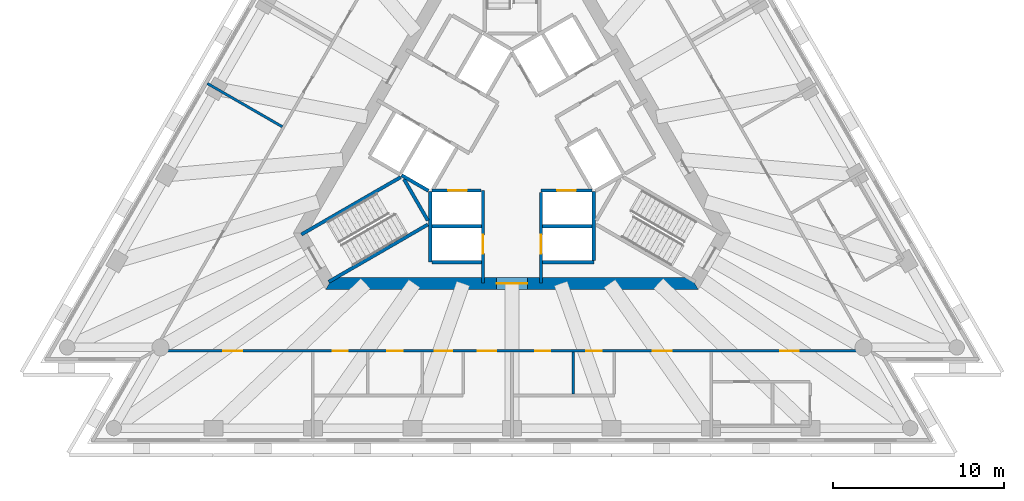
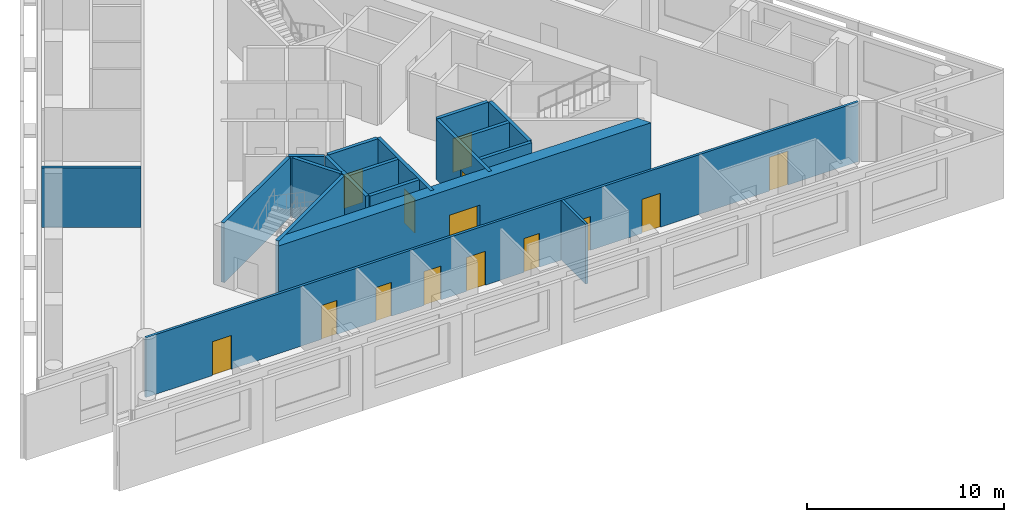
# One storey, part 3 of 10: 18 walls, 14 doors, 14 openings.
"""IFC4 building model written with IfcOpenShell, lengths in metres."""

from ifc_helpers import new_model, si_unit, direction, frame, frame_2d, origin, place, context, subcontext, project, spatial, polyline, rectangle, outline, extrude, material, layer, layer_set, type_object, element, fill, save


model = new_model("IFC4")

# Units and contexts
model_context = context("Model", 3, precision=1e-05, world=origin(), true_north=direction((0.0, 1.0)))
body_context = subcontext(model_context, "Body", "Model", "MODEL_VIEW")
ifc_project = project(units=[si_unit("LENGTHUNIT", "METRE"), si_unit("AREAUNIT", "SQUARE_METRE"), si_unit("VOLUMEUNIT", "CUBIC_METRE"), si_unit("PLANEANGLEUNIT", "RADIAN"), si_unit("MASSUNIT", "GRAM", prefix="KILO")], contexts=[model_context])

# Site, building, storey
site_placement = place(None, origin())
site = spatial("IfcSite", under=ifc_project, at=site_placement, CompositionType="ELEMENT")
building_placement = place(site_placement, origin())
building = spatial("IfcBuilding", under=site, at=building_placement, Name="Triada Interchange Tower", CompositionType="ELEMENT")
storey_placement = place(building_placement, frame((0.0, 0.0, 239.300048828125)))
storey = spatial("IfcBuildingStorey", under=building, at=storey_placement, Name="L56", CompositionType="ELEMENT", Elevation=239.300048828125)

# Walls
ifc_material_1 = material(Name="Concrete C30/37", Category="concrete")
ifc_layer_1 = layer(ifc_material_1, 0.199951171875)
ifc_layer_set_1 = layer_set([ifc_layer_1], Name="CORE WALL 200 EI 120")
wall_type_1 = type_object("IfcWallType", Name="CORE WALL 200 EI 120", PredefinedType="SOLIDWALL", material=ifc_layer_set_1)
for number, where, z_axis, x_axis, name in (
    (1, (-4.699951171875, -4.800048828125, 0.0), (0.0, 0.0, 1.0), (1.0, 0.0, 0.0), "Wall L56 43"),
    (2, (1.800048828125, -4.800048828125, 0.0), (0.0, 0.0, 1.0), (1.0, 0.0, 0.0), "Wall L56 44"),
):
    element("IfcWall", number, at=place(storey_placement, frame(where, z_axis=z_axis, x_axis=x_axis)), inside=storey, type_object=wall_type_1, Name=name, PredefinedType="SOLIDWALL", context=body_context, shape_type="SweptSolid", body=[
        extrude(rectangle(XDim=2.89990234375, YDim=0.199951171875, at=frame_2d((1.449951171875, 0.0))), origin(), (0.0, 0.0, 1.0), 3.699951171875),
    ])
wall_1_placement = place(storey_placement, frame((-4.800048828125, -6.89990234375, 0.0), z_axis=(0.0, 0.0, 1.0), x_axis=(0.0, 1.0, 0.0)))
element("IfcWall", 3, at=wall_1_placement, inside=storey, type_object=wall_type_1, Name="Wall L56 45", PredefinedType="SOLIDWALL", context=body_context, shape_type="SweptSolid", body=[
    extrude(rectangle(XDim=4.130859375, YDim=0.199951171875, at=frame_2d((2.0654296875, 0.0))), origin(), (0.0, 0.0, 1.0), 3.699951171875),
])
wall_2_placement = place(storey_placement, frame((-4.699951171875, -6.89990234375, 0.0), z_axis=(0.0, 0.0, 1.0), x_axis=(1.0, 0.0, 0.0)))
element("IfcWall", 4, at=wall_2_placement, inside=storey, type_object=wall_type_1, Name="Wall L56 46", PredefinedType="SOLIDWALL", context=body_context, shape_type="SweptSolid", body=[
    extrude(rectangle(XDim=2.89990234375, YDim=0.199951171875, at=frame_2d((1.449951171875, 0.0))), origin(), (0.0, 0.0, 1.0), 3.699951171875),
])
wall_3_placement = place(storey_placement, frame((1.800048828125, -6.89990234375, 0.0), z_axis=(0.0, 0.0, 1.0), x_axis=(1.0, 0.0, 0.0)))
element("IfcWall", 5, at=wall_3_placement, inside=storey, type_object=wall_type_1, Name="Wall L56 47", PredefinedType="SOLIDWALL", context=body_context, shape_type="SweptSolid", body=[
    extrude(rectangle(XDim=3.0, YDim=0.199951171875, at=frame_2d((1.5, 0.0))), origin(), (0.0, 0.0, 1.0), 3.699951171875),
])

# Wall, opening, door
wall_4_placement = place(storey_placement, frame((-1.699951171875, -8.1298828125, 0.0), z_axis=(0.0, 0.0, 1.0), x_axis=(0.0, 1.0, 0.0)))
wall_4 = element("IfcWall", 6, at=wall_4_placement, inside=storey, type_object=wall_type_1, Name="Wall L56 48", PredefinedType="SOLIDWALL", context=body_context, shape_type="SweptSolid", body=[
    extrude(rectangle(XDim=5.427001953125, YDim=0.199951171875, at=frame_2d((2.71337890625, 0.0))), origin(), (0.0, 0.0, 1.0), 3.699951171875),
])
opening_1_placement = place(wall_4_placement, frame((1.72998046875, 0.0, 0.0)))
opening_1 = element("IfcOpeningElement", 7, at=opening_1_placement, cuts=wall_4, Name="Opening LD-HR4", PredefinedType="OPENING", context=body_context, shape_type="SweptSolid", body=[
    extrude(rectangle(XDim=1.10009765625, YDim=2.10009765625, at=frame_2d((0.550048828125, 1.050048828125))), frame((0.0, 0.10986328125, 0.0), z_axis=(0.0, -1.0, 0.0), x_axis=(1.0, 0.0, 0.0)), (0.0, 0.0, 1.0), 0.219970703125),
])
ifc_material_2 = material(Name="Steel S235 door leaf", Category="steel")
door_type_1 = type_object("IfcDoorType", Name="LIFT LANDING DOOR 1100 EI 120", OperationType="SLIDING_TO_LEFT", PredefinedType="DOOR", material=ifc_material_2)
door_1_placement = place(opening_1_placement, origin())
door_1 = element("IfcDoor", 8, at=door_1_placement, inside=storey, type_object=door_type_1, Name="HR4 landing door L56", OperationType="SLIDING_TO_LEFT", OverallHeight=2.10009765625, OverallWidth=1.10009765625, PredefinedType="DOOR", context=body_context, shape_type="SweptSolid", body=[
    extrude(rectangle(XDim=1.10009765625, YDim=2.10009765625, at=frame_2d((0.550048828125, 1.050048828125))), frame((0.0, 0.02490234375, 0.0), z_axis=(0.0, -1.0, 0.0), x_axis=(1.0, 0.0, 0.0)), (0.0, 0.0, 1.0), 0.050048828125),
])
fill(opening_1, door_1)

wall_5_placement = place(storey_placement, frame((-4.676025390625, -2.699951171875, 0.0), z_axis=(0.0, 0.0, 1.0), x_axis=(1.0, 0.0, 0.0)))
wall_5 = element("IfcWall", 9, at=wall_5_placement, inside=storey, type_object=wall_type_1, Name="Wall L56 49", PredefinedType="SOLIDWALL", context=body_context, shape_type="SweptSolid", body=[
    extrude(rectangle(XDim=2.873046875, YDim=0.199951171875, at=frame_2d((1.4365234375, 0.0))), origin(), (0.0, 0.0, 1.0), 3.699951171875),
])
opening_2_placement = place(wall_5_placement, frame((0.93701171875, 0.0, 0.0)))
opening_2 = element("IfcOpeningElement", 10, at=opening_2_placement, cuts=wall_5, Name="Opening LD-HR3", PredefinedType="OPENING", context=body_context, shape_type="SweptSolid", body=[
    extrude(rectangle(XDim=1.10009765625, YDim=2.10009765625, at=frame_2d((0.550048828125, 1.050048828125))), frame((0.0, 0.10986328125, 0.0), z_axis=(0.0, -1.0, 0.0), x_axis=(1.0, 0.0, 0.0)), (0.0, 0.0, 1.0), 0.219970703125),
])
door_2_placement = place(opening_2_placement, origin())
door_2 = element("IfcDoor", 11, at=door_2_placement, inside=storey, type_object=door_type_1, Name="HR3 landing door L56", OperationType="SLIDING_TO_LEFT", OverallHeight=2.10009765625, OverallWidth=1.10009765625, PredefinedType="DOOR", context=body_context, shape_type="SweptSolid", body=[
    extrude(rectangle(XDim=1.10009765625, YDim=2.10009765625, at=frame_2d((0.550048828125, 1.050048828125))), frame((0.0, 0.02490234375, 0.0), z_axis=(0.0, -1.0, 0.0), x_axis=(1.0, 0.0, 0.0)), (0.0, 0.0, 1.0), 0.050048828125),
])
fill(opening_2, door_2)

wall_6_placement = place(storey_placement, frame((1.702880859375, -2.699951171875, 0.0), z_axis=(0.0, 0.0, 1.0), x_axis=(1.0, 0.0, 0.0)))
wall_6 = element("IfcWall", 12, at=wall_6_placement, inside=storey, type_object=wall_type_1, Name="Wall L56 50", PredefinedType="SOLIDWALL", context=body_context, shape_type="SweptSolid", body=[
    extrude(rectangle(XDim=2.97314453125, YDim=0.199951171875, at=frame_2d((1.486572265625, 0.0))), origin(), (0.0, 0.0, 1.0), 3.699951171875),
])
opening_3_placement = place(wall_6_placement, frame((0.93603515625, 0.0, 0.0)))
opening_3 = element("IfcOpeningElement", 13, at=opening_3_placement, cuts=wall_6, Name="Opening LD-HR1", PredefinedType="OPENING", context=body_context, shape_type="SweptSolid", body=[
    extrude(rectangle(XDim=1.10009765625, YDim=2.10009765625, at=frame_2d((0.550048828125, 1.050048828125))), frame((0.0, 0.10986328125, 0.0), z_axis=(0.0, -1.0, 0.0), x_axis=(1.0, 0.0, 0.0)), (0.0, 0.0, 1.0), 0.219970703125),
])
door_3_placement = place(opening_3_placement, origin())
door_3 = element("IfcDoor", 14, at=door_3_placement, inside=storey, type_object=door_type_1, Name="HR1 landing door L56", OperationType="SLIDING_TO_LEFT", OverallHeight=2.10009765625, OverallWidth=1.10009765625, PredefinedType="DOOR", context=body_context, shape_type="SweptSolid", body=[
    extrude(rectangle(XDim=1.10009765625, YDim=2.10009765625, at=frame_2d((0.550048828125, 1.050048828125))), frame((0.0, 0.02490234375, 0.0), z_axis=(0.0, -1.0, 0.0), x_axis=(1.0, 0.0, 0.0)), (0.0, 0.0, 1.0), 0.050048828125),
])
fill(opening_3, door_3)

wall_7_placement = place(storey_placement, frame((1.699951171875, -8.1298828125, 0.0), z_axis=(0.0, 0.0, 1.0), x_axis=(0.0, 1.0, 0.0)))
wall_7 = element("IfcWall", 15, at=wall_7_placement, inside=storey, type_object=wall_type_1, Name="Wall L56 55", PredefinedType="SOLIDWALL", context=body_context, shape_type="SweptSolid", body=[
    extrude(rectangle(XDim=5.326904296875, YDim=0.199951171875, at=frame_2d((2.66357421875, 0.0))), origin(), (0.0, 0.0, 1.0), 3.699951171875),
])
opening_4_placement = place(wall_7_placement, frame((1.72998046875, 0.0, 0.0)))
opening_4 = element("IfcOpeningElement", 16, at=opening_4_placement, cuts=wall_7, Name="Opening LD-HR2", PredefinedType="OPENING", context=body_context, shape_type="SweptSolid", body=[
    extrude(rectangle(XDim=1.10009765625, YDim=2.10009765625, at=frame_2d((0.550048828125, 1.050048828125))), frame((0.0, 0.10986328125, 0.0), z_axis=(0.0, -1.0, 0.0), x_axis=(1.0, 0.0, 0.0)), (0.0, 0.0, 1.0), 0.219970703125),
])
door_4_placement = place(opening_4_placement, origin())
door_4 = element("IfcDoor", 17, at=door_4_placement, inside=storey, type_object=door_type_1, Name="HR2 landing door L56", OperationType="SLIDING_TO_LEFT", OverallHeight=2.10009765625, OverallWidth=1.10009765625, PredefinedType="DOOR", context=body_context, shape_type="SweptSolid", body=[
    extrude(rectangle(XDim=1.10009765625, YDim=2.10009765625, at=frame_2d((0.550048828125, 1.050048828125))), frame((0.0, 0.02490234375, 0.0), z_axis=(0.0, -1.0, 0.0), x_axis=(1.0, 0.0, 0.0)), (0.0, 0.0, 1.0), 0.050048828125),
])
fill(opening_4, door_4)

# Walls
wall_8_placement = place(storey_placement, frame((4.800048828125, -6.800048828125, 0.0), z_axis=(0.0, 0.0, 1.0), x_axis=(0.0, 1.0, 0.0)))
element("IfcWall", 18, at=wall_8_placement, inside=storey, type_object=wall_type_1, Name="Wall L56 56", PredefinedType="SOLIDWALL", context=body_context, shape_type="SweptSolid", body=[
    extrude(rectangle(XDim=4.029052734375, YDim=0.199951171875, at=frame_2d((2.0146484375, 0.0))), origin(), (0.0, 0.0, 1.0), 3.699951171875),
])
ifc_layer_2 = layer(ifc_material_1, 0.199951171875)
ifc_layer_set_2 = layer_set([ifc_layer_2], Name="CORE WALL 200 EI 180")
wall_type_2 = type_object("IfcWallType", Name="CORE WALL 200 EI 180", PredefinedType="SOLIDWALL", material=ifc_layer_set_2)
wall_9_placement = place(storey_placement, frame((-6.469970703125, -1.806884765625, 0.0), z_axis=(0.0, 0.0, 1.0), x_axis=(0.865883195159, -0.500246231712, 0.0)))
element("IfcWall", 19, at=wall_9_placement, inside=storey, type_object=wall_type_2, Name="Shaft wall FF1 L56 74", PredefinedType="SOLIDWALL", context=body_context, shape_type="SweptSolid", body=[
    extrude(rectangle(XDim=1.8154296875, YDim=0.199951171875, at=frame_2d((0.90771484375, 0.0))), origin(), (0.0, 0.0, 1.0), 3.699951171875),
])
ifc_layer_3 = layer(ifc_material_1, 0.199951171875)
ifc_layer_set_3 = layer_set([ifc_layer_3], Name="CORE WALL 200 REI 240")
wall_type_3 = type_object("IfcWallType", Name="CORE WALL 200 REI 240", PredefinedType="SOLIDWALL", material=ifc_layer_set_3)
wall_10_placement = place(storey_placement, frame((-12.343994140625, -5.279052734375, 0.0), z_axis=(0.0, 0.0, 1.0), x_axis=(0.866046323291, 0.499963764601, 0.0)))
element("IfcWall", 20, at=wall_10_placement, inside=storey, type_object=wall_type_3, Name="Wall L56 84", PredefinedType="SOLIDWALL", context=body_context, shape_type="SweptSolid", body=[
    extrude(rectangle(XDim=6.71435546875, YDim=0.199951171875, at=frame_2d((3.357177734375, 0.0))), origin(), (0.0, 0.0, 1.0), 3.699951171875),
])
wall_11_placement = place(storey_placement, frame((-6.3291015625, -2.0380859375, 0.0), z_axis=(0.0, 0.0, 1.0), x_axis=(0.500200581029, -0.865909567298, 0.0)))
element("IfcWall", 21, at=wall_11_placement, inside=storey, type_object=wall_type_3, Name="Wall L56 85", PredefinedType="SOLIDWALL", context=body_context, shape_type="SweptSolid", body=[
    extrude(rectangle(XDim=2.799072265625, YDim=0.199951171875, at=frame_2d((1.3994140625, 0.0))), origin(), (0.0, 0.0, 1.0), 3.699951171875),
])
wall_12_placement = place(storey_placement, frame((-10.743896484375, -8.051025390625, 0.0), z_axis=(0.0, 0.0, 1.0), x_axis=(0.865983344943, 0.500072840975, 0.0)))
element("IfcWall", 22, at=wall_12_placement, inside=storey, type_object=wall_type_3, Name="Wall L56 86", PredefinedType="SOLIDWALL", context=body_context, shape_type="SweptSolid", body=[
    extrude(rectangle(XDim=6.71484375, YDim=0.199951171875, at=frame_2d((3.357421875, 0.0))), origin(), (0.0, 0.0, 1.0), 3.699951171875),
])

# Wall, opening, door
ifc_material_3 = material(Name="Concrete C50/60", Category="concrete")
ifc_layer_4 = layer(ifc_material_3, 0.699951171875)
ifc_layer_set_4 = layer_set([ifc_layer_4], Name="Core wall C 700")
wall_type_4 = type_object("IfcWallType", Name="Core wall C 700", PredefinedType="SHEAR", material=ifc_layer_set_4)
wall_13_placement = place(storey_placement, frame((-10.7099609375, -8.14990234375, -0.300048828125), z_axis=(0.0, 0.0, 1.0), x_axis=(1.0, 0.0, 0.0)))
wall_13 = element("IfcWall", 23, at=wall_13_placement, inside=storey, type_object=wall_type_4, Name="Core wall WC04 L56", PredefinedType="SHEAR", context=body_context, shape_type="SweptSolid", body=[
    extrude(outline(polyline([(-0.201904296875, -0.35009765625), (1.781982421875, -0.35009765625), (3.76611328125, -0.35009765625), (5.75, -0.35009765625), (7.734130859375, -0.35009765625), (9.718017578125, -0.35009765625), (11.7021484375, -0.35009765625), (13.68603515625, -0.35009765625), (15.670166015625, -0.35009765625), (17.654052734375, -0.35009765625), (19.63818359375, -0.35009765625), (21.6220703125, -0.35009765625), (21.218017578125, 0.35009765625), (19.307373046875, 0.35009765625), (17.39697265625, 0.35009765625), (15.486328125, 0.35009765625), (13.57568359375, 0.35009765625), (11.665283203125, 0.35009765625), (9.754638671875, 0.35009765625), (7.84423828125, 0.35009765625), (5.93359375, 0.35009765625), (4.02294921875, 0.35009765625), (2.112548828125, 0.35009765625), (0.201904296875, 0.35009765625), (-0.201904296875, -0.35009765625)])), origin(), (0.0, 0.0, 1.0), 4.0),
])
opening_5_placement = place(wall_13_placement, frame((9.81005859375, 0.0, 0.300048828125)))
opening_5 = element("IfcOpeningElement", 24, at=opening_5_placement, cuts=wall_13, Name="Opening D56-39", PredefinedType="OPENING", context=body_context, shape_type="SweptSolid", body=[
    extrude(rectangle(XDim=1.800048828125, YDim=2.10009765625, at=frame_2d((0.89990234375, 1.050048828125))), frame((0.0, 0.360107421875, 0.0), z_axis=(0.0, -1.0, 0.0), x_axis=(1.0, 0.0, 0.0)), (0.0, 0.0, 1.0), 0.72021484375),
])
door_type_2 = type_object("IfcDoorType", Name="LOBBY DOOR 1800 EI2 90-C5S200", OperationType="DOUBLE_DOOR_SINGLE_SWING", PredefinedType="DOOR", material=ifc_material_2)
door_5_placement = place(opening_5_placement, origin())
door_5 = element("IfcDoor", 25, at=door_5_placement, inside=storey, type_object=door_type_2, Name="Door D56-39 L56", OperationType="DOUBLE_DOOR_SINGLE_SWING", OverallHeight=2.10009765625, OverallWidth=1.800048828125, PredefinedType="DOOR", context=body_context, shape_type="SweptSolid", body=[
    extrude(rectangle(XDim=1.800048828125, YDim=2.10009765625, at=frame_2d((0.89990234375, 1.050048828125))), frame((0.0, 0.02490234375, 0.0), z_axis=(0.0, -1.0, 0.0), x_axis=(1.0, 0.0, 0.0)), (0.0, 0.0, 1.0), 0.050048828125),
])
fill(opening_5, door_5)

# Wall, openings, doors
ifc_material_4 = material(Name="Gypsum board partition")
ifc_layer_5 = layer(ifc_material_4, 0.14990234375)
ifc_layer_set_5 = layer_set([ifc_layer_5], Name="PARTITION 150 EI 180")
wall_type_5 = type_object("IfcWallType", Name="PARTITION 150 EI 180", PredefinedType="PARTITIONING", material=ifc_layer_set_5)
wall_14_placement = place(storey_placement, frame((-20.806884765625, -12.10009765625, 0.0), z_axis=(0.0, 0.0, 1.0), x_axis=(1.0, 0.0, 0.0)))
wall_14 = element("IfcWall", 26, at=wall_14_placement, inside=storey, type_object=wall_type_5, Name="Wall L56 3", PredefinedType="PARTITIONING", context=body_context, shape_type="SweptSolid", body=[
    extrude(rectangle(XDim=41.763916015625, YDim=0.14990234375, at=frame_2d((20.8818359375, 0.0))), origin(), (0.0, 0.0, 1.0), 3.699951171875),
])
opening_6_placement = place(wall_14_placement, frame((3.89990234375, 0.0, 0.0)))
opening_6 = element("IfcOpeningElement", 27, at=opening_6_placement, cuts=wall_14, Name="Opening D56-11", PredefinedType="OPENING", context=body_context, shape_type="SweptSolid", body=[
    extrude(rectangle(XDim=1.10009765625, YDim=2.10009765625, at=frame_2d((0.550048828125, 1.050048828125))), frame((0.0, 0.0849609375, 0.0), z_axis=(0.0, -1.0, 0.0), x_axis=(1.0, 0.0, 0.0)), (0.0, 0.0, 1.0), 0.169921875),
])
opening_7_placement = place(wall_14_placement, frame((18.7919921875, 0.0, 0.0)))
opening_7 = element("IfcOpeningElement", 28, at=opening_7_placement, cuts=wall_14, Name="Opening D56-12", PredefinedType="OPENING", context=body_context, shape_type="SweptSolid", body=[
    extrude(rectangle(XDim=1.10009765625, YDim=2.10009765625, at=frame_2d((0.550048828125, 1.050048828125))), frame((0.0, 0.0849609375, 0.0), z_axis=(0.0, -1.0, 0.0), x_axis=(1.0, 0.0, 0.0)), (0.0, 0.0, 1.0), 0.169921875),
])
opening_8_placement = place(wall_14_placement, frame((10.2919921875, 0.0, 0.0)))
opening_8 = element("IfcOpeningElement", 29, at=opening_8_placement, cuts=wall_14, Name="Opening D56-13", PredefinedType="OPENING", context=body_context, shape_type="SweptSolid", body=[
    extrude(rectangle(XDim=0.89990234375, YDim=2.10009765625, at=frame_2d((0.449951171875, 1.050048828125))), frame((0.0, 0.0849609375, 0.0), z_axis=(0.0, -1.0, 0.0), x_axis=(1.0, 0.0, 0.0)), (0.0, 0.0, 1.0), 0.169921875),
])
opening_9_placement = place(wall_14_placement, frame((13.491943359375, 0.0, 0.0)))
opening_9 = element("IfcOpeningElement", 30, at=opening_9_placement, cuts=wall_14, Name="Opening D56-14", PredefinedType="OPENING", context=body_context, shape_type="SweptSolid", body=[
    extrude(rectangle(XDim=0.89990234375, YDim=2.10009765625, at=frame_2d((0.449951171875, 1.050048828125))), frame((0.0, 0.0849609375, 0.0), z_axis=(0.0, -1.0, 0.0), x_axis=(1.0, 0.0, 0.0)), (0.0, 0.0, 1.0), 0.169921875),
])
opening_10_placement = place(wall_14_placement, frame((16.2919921875, 0.0, 0.0)))
opening_10 = element("IfcOpeningElement", 31, at=opening_10_placement, cuts=wall_14, Name="Opening D56-15", PredefinedType="OPENING", context=body_context, shape_type="SweptSolid", body=[
    extrude(rectangle(XDim=1.0, YDim=2.10009765625, at=frame_2d((0.5, 1.050048828125))), frame((0.0, 0.0849609375, 0.0), z_axis=(0.0, -1.0, 0.0), x_axis=(1.0, 0.0, 0.0)), (0.0, 0.0, 1.0), 0.169921875),
])
opening_11_placement = place(wall_14_placement, frame((29.056884765625, 0.0, 0.0)))
opening_11 = element("IfcOpeningElement", 32, at=opening_11_placement, cuts=wall_14, Name="Opening D56-16", PredefinedType="OPENING", context=body_context, shape_type="SweptSolid", body=[
    extrude(rectangle(XDim=1.10009765625, YDim=2.10009765625, at=frame_2d((0.550048828125, 1.050048828125))), frame((0.0, 0.0849609375, 0.0), z_axis=(0.0, -1.0, 0.0), x_axis=(1.0, 0.0, 0.0)), (0.0, 0.0, 1.0), 0.169921875),
])
opening_12_placement = place(wall_14_placement, frame((22.156982421875, 0.0, 0.0)))
opening_12 = element("IfcOpeningElement", 33, at=opening_12_placement, cuts=wall_14, Name="Opening D56-17", PredefinedType="OPENING", context=body_context, shape_type="SweptSolid", body=[
    extrude(rectangle(XDim=0.89990234375, YDim=2.10009765625, at=frame_2d((0.449951171875, 1.050048828125))), frame((0.0, 0.0849609375, 0.0), z_axis=(0.0, -1.0, 0.0), x_axis=(1.0, 0.0, 0.0)), (0.0, 0.0, 1.0), 0.169921875),
])
opening_13_placement = place(wall_14_placement, frame((25.156982421875, 0.0, 0.0)))
opening_13 = element("IfcOpeningElement", 34, at=opening_13_placement, cuts=wall_14, Name="Opening D56-18", PredefinedType="OPENING", context=body_context, shape_type="SweptSolid", body=[
    extrude(rectangle(XDim=0.89990234375, YDim=2.10009765625, at=frame_2d((0.449951171875, 1.050048828125))), frame((0.0, 0.0849609375, 0.0), z_axis=(0.0, -1.0, 0.0), x_axis=(1.0, 0.0, 0.0)), (0.0, 0.0, 1.0), 0.169921875),
])
opening_14_placement = place(wall_14_placement, frame((36.52197265625, 0.0, 0.0)))
opening_14 = element("IfcOpeningElement", 35, at=opening_14_placement, cuts=wall_14, Name="Opening D56-19", PredefinedType="OPENING", context=body_context, shape_type="SweptSolid", body=[
    extrude(rectangle(XDim=1.10009765625, YDim=2.10009765625, at=frame_2d((0.550048828125, 1.050048828125))), frame((0.0, 0.0849609375, 0.0), z_axis=(0.0, -1.0, 0.0), x_axis=(1.0, 0.0, 0.0)), (0.0, 0.0, 1.0), 0.169921875),
])
door_type_3 = type_object("IfcDoorType", Name="ROOM DOOR 1000 EI2 90-C5S200", OperationType="NOTDEFINED", PredefinedType="DOOR", material=ifc_material_2)
door_6_placement = place(opening_10_placement, origin())
door_6 = element("IfcDoor", 36, at=door_6_placement, inside=storey, type_object=door_type_3, Name="Door D56-15 L56", OperationType="SINGLE_SWING_RIGHT", OverallHeight=2.10009765625, OverallWidth=1.0, PredefinedType="DOOR", context=body_context, shape_type="SweptSolid", body=[
    extrude(rectangle(XDim=1.0, YDim=2.10009765625, at=frame_2d((0.5, 1.050048828125))), frame((0.0, 0.02490234375, 0.0), z_axis=(0.0, -1.0, 0.0), x_axis=(1.0, 0.0, 0.0)), (0.0, 0.0, 1.0), 0.050048828125),
])
fill(opening_10, door_6)
door_type_4 = type_object("IfcDoorType", Name="ROOM DOOR 900 EI2 90-C5S200", OperationType="NOTDEFINED", PredefinedType="DOOR", material=ifc_material_2)
door_7_placement = place(opening_8_placement, origin())
door_7 = element("IfcDoor", 37, at=door_7_placement, inside=storey, type_object=door_type_4, Name="Door D56-13 L56", OperationType="SINGLE_SWING_RIGHT", OverallHeight=2.10009765625, OverallWidth=0.89990234375, PredefinedType="DOOR", context=body_context, shape_type="SweptSolid", body=[
    extrude(rectangle(XDim=0.89990234375, YDim=2.10009765625, at=frame_2d((0.449951171875, 1.050048828125))), frame((0.0, 0.02490234375, 0.0), z_axis=(0.0, -1.0, 0.0), x_axis=(1.0, 0.0, 0.0)), (0.0, 0.0, 1.0), 0.050048828125),
])
fill(opening_8, door_7)
door_8_placement = place(opening_9_placement, origin())
door_8 = element("IfcDoor", 38, at=door_8_placement, inside=storey, type_object=door_type_4, Name="Door D56-14 L56", OperationType="SINGLE_SWING_LEFT", OverallHeight=2.10009765625, OverallWidth=0.89990234375, PredefinedType="DOOR", context=body_context, shape_type="SweptSolid", body=[
    extrude(rectangle(XDim=0.89990234375, YDim=2.10009765625, at=frame_2d((0.449951171875, 1.050048828125))), frame((0.0, 0.02490234375, 0.0), z_axis=(0.0, -1.0, 0.0), x_axis=(1.0, 0.0, 0.0)), (0.0, 0.0, 1.0), 0.050048828125),
])
fill(opening_9, door_8)
door_9_placement = place(opening_12_placement, origin())
door_9 = element("IfcDoor", 39, at=door_9_placement, inside=storey, type_object=door_type_4, Name="Door D56-17 L56", OperationType="SINGLE_SWING_RIGHT", OverallHeight=2.10009765625, OverallWidth=0.89990234375, PredefinedType="DOOR", context=body_context, shape_type="SweptSolid", body=[
    extrude(rectangle(XDim=0.89990234375, YDim=2.10009765625, at=frame_2d((0.449951171875, 1.050048828125))), frame((0.0, 0.02490234375, 0.0), z_axis=(0.0, -1.0, 0.0), x_axis=(1.0, 0.0, 0.0)), (0.0, 0.0, 1.0), 0.050048828125),
])
fill(opening_12, door_9)
door_10_placement = place(opening_13_placement, origin())
door_10 = element("IfcDoor", 40, at=door_10_placement, inside=storey, type_object=door_type_4, Name="Door D56-18 L56", OperationType="SINGLE_SWING_RIGHT", OverallHeight=2.10009765625, OverallWidth=0.89990234375, PredefinedType="DOOR", context=body_context, shape_type="SweptSolid", body=[
    extrude(rectangle(XDim=0.89990234375, YDim=2.10009765625, at=frame_2d((0.449951171875, 1.050048828125))), frame((0.0, 0.02490234375, 0.0), z_axis=(0.0, -1.0, 0.0), x_axis=(1.0, 0.0, 0.0)), (0.0, 0.0, 1.0), 0.050048828125),
])
fill(opening_13, door_10)
door_type_5 = type_object("IfcDoorType", Name="TENANCY ENTRANCE DOOR 1100 EI2 90-C5S200", OperationType="NOTDEFINED", PredefinedType="DOOR", material=ifc_material_2)
door_11_placement = place(opening_6_placement, origin())
door_11 = element("IfcDoor", 41, at=door_11_placement, inside=storey, type_object=door_type_5, Name="Door D56-11 L56", OperationType="SINGLE_SWING_RIGHT", OverallHeight=2.10009765625, OverallWidth=1.10009765625, PredefinedType="DOOR", context=body_context, shape_type="SweptSolid", body=[
    extrude(rectangle(XDim=1.10009765625, YDim=2.10009765625, at=frame_2d((0.550048828125, 1.050048828125))), frame((0.0, 0.02490234375, 0.0), z_axis=(0.0, -1.0, 0.0), x_axis=(1.0, 0.0, 0.0)), (0.0, 0.0, 1.0), 0.050048828125),
])
fill(opening_6, door_11)
door_12_placement = place(opening_7_placement, origin())
door_12 = element("IfcDoor", 42, at=door_12_placement, inside=storey, type_object=door_type_5, Name="Door D56-12 L56", OperationType="SINGLE_SWING_LEFT", OverallHeight=2.10009765625, OverallWidth=1.10009765625, PredefinedType="DOOR", context=body_context, shape_type="SweptSolid", body=[
    extrude(rectangle(XDim=1.10009765625, YDim=2.10009765625, at=frame_2d((0.550048828125, 1.050048828125))), frame((0.0, 0.02490234375, 0.0), z_axis=(0.0, -1.0, 0.0), x_axis=(1.0, 0.0, 0.0)), (0.0, 0.0, 1.0), 0.050048828125),
])
fill(opening_7, door_12)
door_13_placement = place(opening_11_placement, origin())
door_13 = element("IfcDoor", 43, at=door_13_placement, inside=storey, type_object=door_type_5, Name="Door D56-16 L56", OperationType="SINGLE_SWING_LEFT", OverallHeight=2.10009765625, OverallWidth=1.10009765625, PredefinedType="DOOR", context=body_context, shape_type="SweptSolid", body=[
    extrude(rectangle(XDim=1.10009765625, YDim=2.10009765625, at=frame_2d((0.550048828125, 1.050048828125))), frame((0.0, 0.02490234375, 0.0), z_axis=(0.0, -1.0, 0.0), x_axis=(1.0, 0.0, 0.0)), (0.0, 0.0, 1.0), 0.050048828125),
])
fill(opening_11, door_13)
door_14_placement = place(opening_14_placement, origin())
door_14 = element("IfcDoor", 44, at=door_14_placement, inside=storey, type_object=door_type_5, Name="Door D56-19 L56", OperationType="SINGLE_SWING_LEFT", OverallHeight=2.10009765625, OverallWidth=1.10009765625, PredefinedType="DOOR", context=body_context, shape_type="SweptSolid", body=[
    extrude(rectangle(XDim=1.10009765625, YDim=2.10009765625, at=frame_2d((0.550048828125, 1.050048828125))), frame((0.0, 0.02490234375, 0.0), z_axis=(0.0, -1.0, 0.0), x_axis=(1.0, 0.0, 0.0)), (0.0, 0.0, 1.0), 0.050048828125),
])
fill(opening_14, door_14)

# Walls
wall_15_placement = place(storey_placement, frame((-17.85009765625, 3.571044921875, 0.0), z_axis=(0.0, 0.0, 1.0), x_axis=(0.866086140321, -0.499894786475, 0.0)))
element("IfcWall", 45, at=wall_15_placement, inside=storey, type_object=wall_type_5, Name="Wall L56 5", PredefinedType="PARTITIONING", context=body_context, shape_type="SweptSolid", body=[
    extrude(rectangle(XDim=5.06884765625, YDim=0.14990234375, at=frame_2d((2.534423828125, 0.0))), origin(), (0.0, 0.0, 1.0), 3.699951171875),
])
wall_16_placement = place(storey_placement, frame((3.60009765625, -14.636962890625, 0.0), z_axis=(0.0, 0.0, 1.0), x_axis=(0.0, 1.0, 0.0)))
element("IfcWall", 46, at=wall_16_placement, inside=storey, type_object=wall_type_5, Name="Wall L56 23", PredefinedType="PARTITIONING", context=body_context, shape_type="SweptSolid", body=[
    extrude(rectangle(XDim=2.4619140625, YDim=0.14990234375, at=frame_2d((1.23095703125, 0.0))), origin(), (0.0, 0.0, 1.0), 3.699951171875),
])

save(model, "model.ifc")
